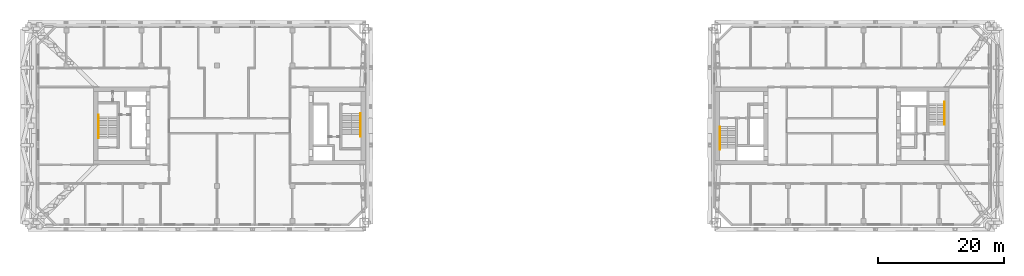
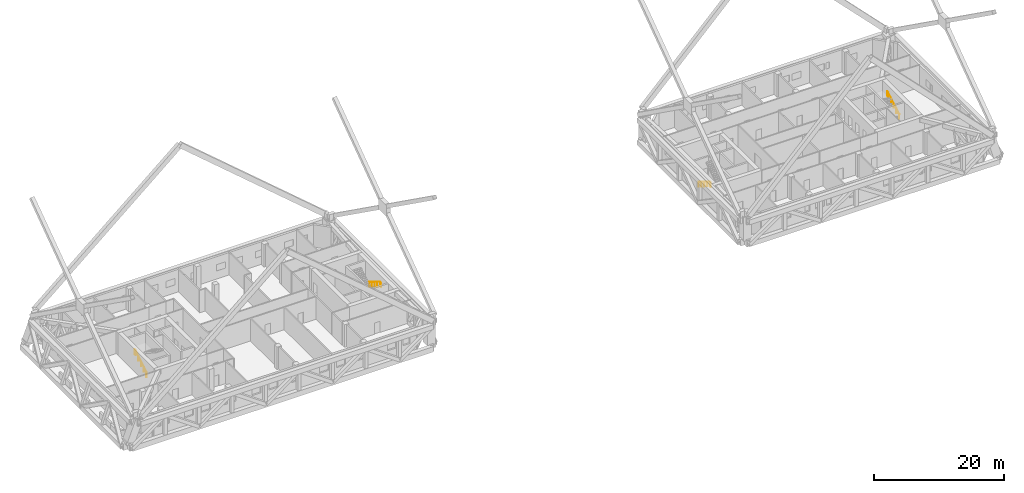
# One storey, part 20 of 20: 4 railings.
"""IFC4 building model written with IfcOpenShell, lengths in metres."""

from ifc_helpers import new_model, si_unit, direction, frame, origin, origin_2d, place, context, subcontext, project, spatial, circle, extrude, material, type_object, element, save


model = new_model("IFC4")

# Units and contexts
model_context = context("Model", 3, precision=1e-05, world=origin(), true_north=direction((0.0, 1.0)))
body_context = subcontext(model_context, "Body", "Model", "MODEL_VIEW")
ifc_project = project(units=[si_unit("LENGTHUNIT", "METRE"), si_unit("AREAUNIT", "SQUARE_METRE"), si_unit("VOLUMEUNIT", "CUBIC_METRE"), si_unit("PLANEANGLEUNIT", "RADIAN"), si_unit("MASSUNIT", "GRAM", prefix="KILO")], contexts=[model_context])

# Site, building, storey
site_placement = place(None, origin())
site = spatial("IfcSite", under=ifc_project, at=site_placement, CompositionType="ELEMENT")
building_placement = place(site_placement, origin())
building = spatial("IfcBuilding", under=site, at=building_placement, Name="Tuart Gate Housing", CompositionType="ELEMENT")
storey_placement = place(building_placement, frame((0.0, 0.0, 62.89990234375)))
storey = spatial("IfcBuildingStorey", under=building, at=storey_placement, Name="L17", CompositionType="ELEMENT", Elevation=62.89990234375)

# Railings
ifc_material = material(Name="Stainless steel", Category="steel")
railing_type = type_object("IfcRailingType", Name="Stair handrail 900", PredefinedType="HANDRAIL", material=ifc_material)
railing_1_placement = place(storey_placement, frame((74.8798828125, 71.949951171875, 0.173095703125)))
element("IfcRailing", 1, at=railing_1_placement, inside=storey, type_object=railing_type, Name="Stair handrail SA1.1", PredefinedType="HANDRAIL", context=body_context, shape_type="SweptSolid", body=[
    extrude(circle(Radius=0.02392578125, at=origin_2d()), frame((0.0, 0.0, 0.8759765625), z_axis=(0.0, -0.850606129759, 0.525803396734), x_axis=(1.0, 0.0, 0.0)), (0.0, 0.0, 1.0), 3.949951171875),
    extrude(circle(Radius=0.02392578125, at=origin_2d()), frame((0.0, -3.35986328125, 2.95263671875), z_axis=(0.0, -1.0, 0.0), x_axis=(1.0, 0.0, 0.0)), (0.0, 0.0, 1.0), 0.300048828125),
    extrude(circle(Radius=0.02099609375, at=origin_2d()), origin(), (0.0, 0.0, 1.0), 0.851806640625),
    extrude(circle(Radius=0.02099609375, at=origin_2d()), frame((0.0, -0.83984375, 0.519287109375)), (0.0, 0.0, 1.0), 0.851806640625),
    extrude(circle(Radius=0.02099609375, at=origin_2d()), frame((0.0, -1.679931640625, 1.03857421875)), (0.0, 0.0, 1.0), 0.851806640625),
    extrude(circle(Radius=0.02099609375, at=origin_2d()), frame((0.0, -2.52001953125, 1.5576171875)), (0.0, 0.0, 1.0), 0.851806640625),
    extrude(circle(Radius=0.02099609375, at=origin_2d()), frame((0.0, -3.35986328125, 2.076904296875)), (0.0, 0.0, 1.0), 0.851806640625),
    extrude(circle(Radius=0.02099609375, at=origin_2d()), frame((0.0, -3.659912109375, 2.076904296875)), (0.0, 0.0, 1.0), 0.851806640625),
])
railing_2_placement = place(storey_placement, frame((33.1201171875, 68.050048828125, 0.173095703125)))
element("IfcRailing", 2, at=railing_2_placement, inside=storey, type_object=railing_type, Name="Stair handrail SA2.1", PredefinedType="HANDRAIL", context=body_context, shape_type="SweptSolid", body=[
    extrude(circle(Radius=0.02392578125, at=origin_2d()), frame((0.0, 0.0, 0.8759765625), z_axis=(0.0, 0.850606129759, 0.525803396734), x_axis=(-1.0, 0.0, 0.0)), (0.0, 0.0, 1.0), 3.949951171875),
    extrude(circle(Radius=0.02392578125, at=origin_2d()), frame((0.0, 3.35986328125, 2.95263671875), z_axis=(0.0, 1.0, 0.0), x_axis=(-1.0, 0.0, 0.0)), (0.0, 0.0, 1.0), 0.300048828125),
    extrude(circle(Radius=0.02099609375, at=origin_2d()), origin(), (0.0, 0.0, 1.0), 0.851806640625),
    extrude(circle(Radius=0.02099609375, at=origin_2d()), frame((0.0, 0.83984375, 0.519287109375)), (0.0, 0.0, 1.0), 0.851806640625),
    extrude(circle(Radius=0.02099609375, at=origin_2d()), frame((0.0, 1.679931640625, 1.03857421875)), (0.0, 0.0, 1.0), 0.851806640625),
    extrude(circle(Radius=0.02099609375, at=origin_2d()), frame((0.0, 2.52001953125, 1.5576171875)), (0.0, 0.0, 1.0), 0.851806640625),
    extrude(circle(Radius=0.02099609375, at=origin_2d()), frame((0.0, 3.35986328125, 2.076904296875)), (0.0, 0.0, 1.0), 0.851806640625),
    extrude(circle(Radius=0.02099609375, at=origin_2d()), frame((0.0, 3.659912109375, 2.076904296875)), (0.0, 0.0, 1.0), 0.851806640625),
])
railing_3_placement = place(storey_placement, frame((132.1201171875, 69.85009765625, 0.173095703125)))
element("IfcRailing", 3, at=railing_3_placement, inside=storey, type_object=railing_type, Name="Stair handrail SB1.1", PredefinedType="HANDRAIL", context=body_context, shape_type="SweptSolid", body=[
    extrude(circle(Radius=0.02392578125, at=origin_2d()), frame((0.0, 0.0, 0.8759765625), z_axis=(0.0, -0.850623216509, 0.525775754039), x_axis=(1.0, 0.0, 0.0)), (0.0, 0.0, 1.0), 3.9501953125),
    extrude(circle(Radius=0.02392578125, at=origin_2d()), frame((0.0, -3.360107421875, 2.95263671875), z_axis=(0.0, -1.0, 0.0), x_axis=(1.0, 0.0, 0.0)), (0.0, 0.0, 1.0), 0.300048828125),
    extrude(circle(Radius=0.02099609375, at=origin_2d()), origin(), (0.0, 0.0, 1.0), 0.851806640625),
    extrude(circle(Radius=0.02099609375, at=origin_2d()), frame((0.0, -0.840087890625, 0.519287109375)), (0.0, 0.0, 1.0), 0.851806640625),
    extrude(circle(Radius=0.02099609375, at=origin_2d()), frame((0.0, -1.68017578125, 1.03857421875)), (0.0, 0.0, 1.0), 0.851806640625),
    extrude(circle(Radius=0.02099609375, at=origin_2d()), frame((0.0, -2.52001953125, 1.5576171875)), (0.0, 0.0, 1.0), 0.851806640625),
    extrude(circle(Radius=0.02099609375, at=origin_2d()), frame((0.0, -3.360107421875, 2.076904296875)), (0.0, 0.0, 1.0), 0.851806640625),
    extrude(circle(Radius=0.02099609375, at=origin_2d()), frame((0.0, -3.66015625, 2.076904296875)), (0.0, 0.0, 1.0), 0.851806640625),
])
railing_4_placement = place(storey_placement, frame((167.8798828125, 70.14990234375, 0.173095703125)))
element("IfcRailing", 4, at=railing_4_placement, inside=storey, type_object=railing_type, Name="Stair handrail SB2.1", PredefinedType="HANDRAIL", context=body_context, shape_type="SweptSolid", body=[
    extrude(circle(Radius=0.02392578125, at=origin_2d()), frame((0.0, 0.0, 0.8759765625), z_axis=(0.0, 0.850623216509, 0.525775754039), x_axis=(-1.0, 0.0, 0.0)), (0.0, 0.0, 1.0), 3.9501953125),
    extrude(circle(Radius=0.02392578125, at=origin_2d()), frame((0.0, 3.360107421875, 2.95263671875), z_axis=(0.0, 1.0, 0.0), x_axis=(-1.0, 0.0, 0.0)), (0.0, 0.0, 1.0), 0.300048828125),
    extrude(circle(Radius=0.02099609375, at=origin_2d()), origin(), (0.0, 0.0, 1.0), 0.851806640625),
    extrude(circle(Radius=0.02099609375, at=origin_2d()), frame((0.0, 0.840087890625, 0.519287109375)), (0.0, 0.0, 1.0), 0.851806640625),
    extrude(circle(Radius=0.02099609375, at=origin_2d()), frame((0.0, 1.68017578125, 1.03857421875)), (0.0, 0.0, 1.0), 0.851806640625),
    extrude(circle(Radius=0.02099609375, at=origin_2d()), frame((0.0, 2.52001953125, 1.5576171875)), (0.0, 0.0, 1.0), 0.851806640625),
    extrude(circle(Radius=0.02099609375, at=origin_2d()), frame((0.0, 3.360107421875, 2.076904296875)), (0.0, 0.0, 1.0), 0.851806640625),
    extrude(circle(Radius=0.02099609375, at=origin_2d()), frame((0.0, 3.66015625, 2.076904296875)), (0.0, 0.0, 1.0), 0.851806640625),
])

save(model, "model.ifc")
